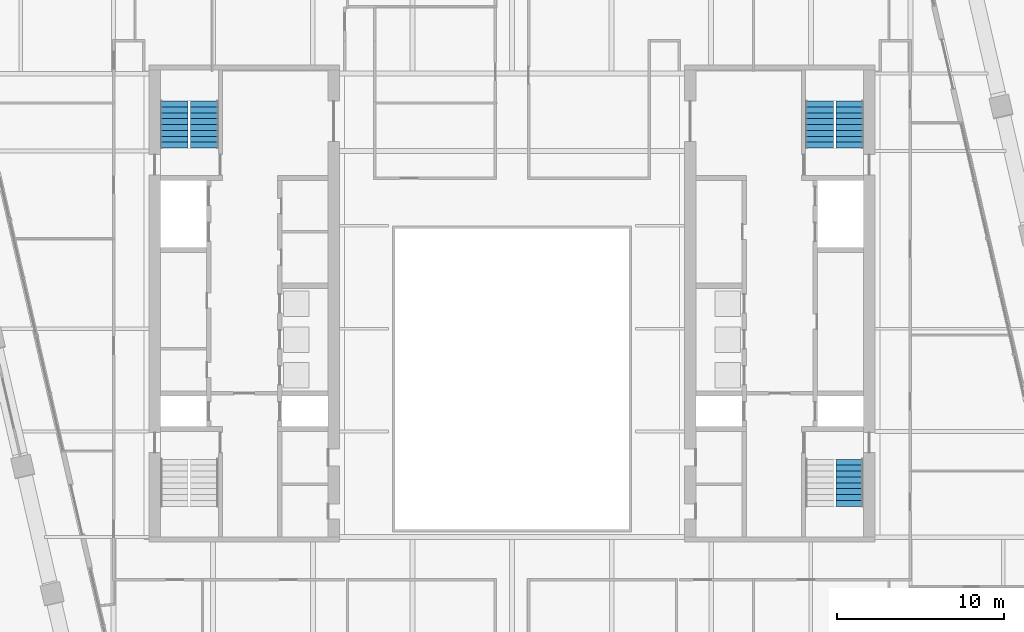
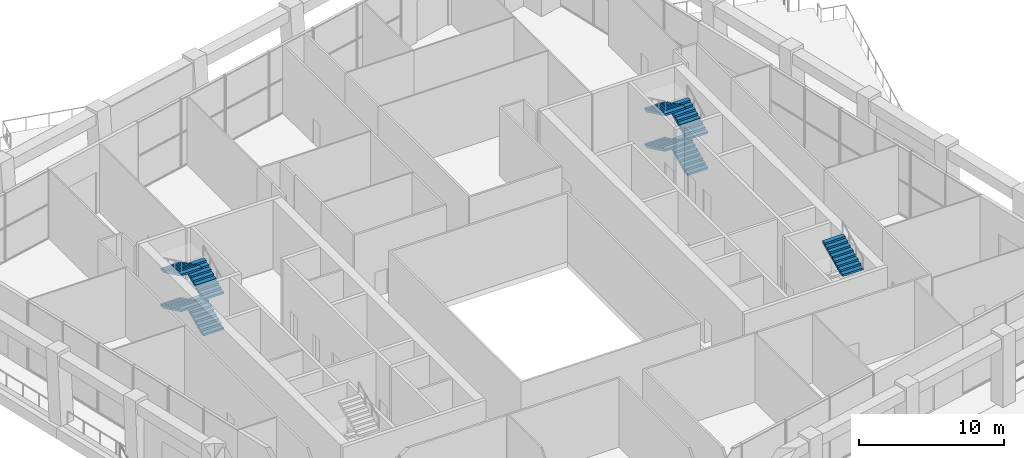
# One storey, part 17 of 24: 9 stair flights, 3 elements without a shape of their own.
"""IFC4 building model written with IfcOpenShell, lengths in metres."""

import ifcopenshell
import ifcopenshell.guid

model = None  # the IFC model being written
_history = None  # IfcOwnerHistory: only IFC2X3 demands one
_inside = {}  # id of a spatial element -> (the spatial element, [elements in it])
_under = {}  # id of a project, library or spatial element -> (it, [spatial elements below it])
_declared = {}  # id of a project -> (the project, [libraries it declares])
_typed = {}  # id of a type object -> (the type object, [elements of that type])
_made_of = {}  # id of a material, layer set ... -> (it, [elements and type objects made of it])


def new_model(schema):
    """Start an empty IFC model of exactly this schema.

    Asked for "IFC4X3", IfcOpenShell would pick the latest addendum, in which some entities
    have other attributes; the version numbers below select the first issue.
    IFC2X3 requires an IfcOwnerHistory on every rooted entity: one is made here for all.
    """
    global model, _history
    if schema == "IFC4X3":
        model = ifcopenshell.file(schema_version=(4, 3, 0, 0))
    else:
        model = ifcopenshell.file(schema=schema)
    _inside.clear()
    _under.clear()
    _declared.clear()
    _typed.clear()
    _made_of.clear()
    _history = None
    if model.schema == "IFC2X3":
        org = make("IfcOrganization", Name="unknown")
        user = make(
            "IfcPersonAndOrganization",
            ThePerson=make("IfcPerson", FamilyName="unknown"),
            TheOrganization=org,
        )
        app = make(
            "IfcApplication",
            ApplicationDeveloper=org,
            Version="unknown",
            ApplicationFullName="unknown",
            ApplicationIdentifier="unknown",
        )
        _history = make(
            "IfcOwnerHistory",
            OwningUser=user,
            OwningApplication=app,
            ChangeAction="ADDED",
            CreationDate=0,
        )
    return model


def make(cls, **values):
    """One entity of the class cls with the attributes given. An attribute that is None is left unset."""
    return model.create_entity(
        cls, **{name: value for name, value in values.items() if value is not None}
    )


def rooted(cls, **values):
    """An entity with a GlobalId (a new one), such as an element, a storey or a relation."""
    return make(cls, GlobalId=ifcopenshell.guid.new(), OwnerHistory=_history, **values)


def si_unit(unit_type, name, prefix=None):
    """IfcSIUnit, for example si_unit("LENGTHUNIT", "METRE", prefix="MILLI")."""
    return make("IfcSIUnit", UnitType=unit_type, Prefix=prefix, Name=name)


def assignment(units):
    """IfcUnitAssignment: the units of a project."""
    return None if units is None else make("IfcUnitAssignment", Units=units)


def point(xyz):
    """IfcCartesianPoint."""
    return None if xyz is None else make("IfcCartesianPoint", Coordinates=xyz)


def direction(xyz):
    """IfcDirection."""
    return None if xyz is None else make("IfcDirection", DirectionRatios=xyz)


def frame(location, z_axis=None, x_axis=None):
    """IfcAxis2Placement3D, a coordinate frame: its origin and axes. An axis left out is left unset."""
    return make(
        "IfcAxis2Placement3D",
        Location=point(location),
        Axis=direction(z_axis),
        RefDirection=direction(x_axis),
    )


def origin():
    """The frame at (0, 0, 0) with its axes left unset."""
    return frame((0.0, 0.0, 0.0))


def place(relative_to, where):
    """IfcLocalPlacement: puts the frame where relative to a parent placement (None: the world)."""
    return make(
        "IfcLocalPlacement", PlacementRelTo=relative_to, RelativePlacement=where
    )


def context(
    kind, dimensions, precision=None, world=None, true_north=None, identifier=None
):
    """IfcGeometricRepresentationContext, for example the 3D "Model" context."""
    return make(
        "IfcGeometricRepresentationContext",
        ContextIdentifier=identifier,
        ContextType=kind,
        CoordinateSpaceDimension=dimensions,
        Precision=precision,
        WorldCoordinateSystem=world,
        TrueNorth=true_north,
    )


def subcontext(parent, identifier, kind, view, scale=None):
    """IfcGeometricRepresentationSubContext, for example "Body" below "Model"."""
    return make(
        "IfcGeometricRepresentationSubContext",
        ContextIdentifier=identifier,
        ContextType=kind,
        ParentContext=parent,
        TargetScale=scale,
        TargetView=view,
    )


def project(units=None, contexts=None):
    """IfcProject with its units and contexts."""
    return rooted(
        "IfcProject",
        Name="project",
        RepresentationContexts=contexts,
        UnitsInContext=assignment(units),
    )


def spatial(cls, under=None, at=None, **own):
    """A site, building, storey or space (cls), placed at a placement, below another one or the project."""
    s = rooted(cls, ObjectPlacement=at, **own)
    if under is not None:
        _under.setdefault(under.id(), (under, []))[1].append(s)
    return s


def polyline(points):
    """IfcPolyline through the points."""
    return make("IfcPolyline", Points=[point(p) for p in points])


def outline(outer, holes=None, kind="AREA"):
    """IfcArbitraryClosedProfileDef: a profile drawn as a closed curve; with holes, ...WithVoids."""
    if holes is None:
        return make("IfcArbitraryClosedProfileDef", ProfileType=kind, OuterCurve=outer)
    return make(
        "IfcArbitraryProfileDefWithVoids",
        ProfileType=kind,
        OuterCurve=outer,
        InnerCurves=holes,
    )


def extrude(swept, where, along, depth):
    """IfcExtrudedAreaSolid: the profile swept, set in the frame where, extruded along a direction by depth."""
    return make(
        "IfcExtrudedAreaSolid",
        SweptArea=swept,
        Position=where,
        ExtrudedDirection=direction(along),
        Depth=depth,
    )


def shape(context_of_items, identifier, shape_type, items):
    """IfcShapeRepresentation: the items that make up one representation, for example the "Body"."""
    return make(
        "IfcShapeRepresentation",
        ContextOfItems=context_of_items,
        RepresentationIdentifier=identifier,
        RepresentationType=shape_type,
        Items=items,
    )


def material(Name=None, Category=None):
    """IfcMaterial."""
    return make("IfcMaterial", Name=Name, Category=Category)


def made_of(thing, what):
    """Note that an element or type object is made of a material, layer set ...; save() writes the relation."""
    if what is not None:
        _made_of.setdefault(what.id(), (what, []))[1].append(thing)
    return thing


def type_object(cls, material=None, **own):
    """A type object (cls), such as IfcWallType, which elements share."""
    return made_of(rooted(cls, **own), material)


def element(
    cls,
    number,
    at=None,
    inside=None,
    cuts=None,
    type_object=None,
    material=None,
    context=None,
    identifier="Body",
    shape_type=None,
    held_by="IfcProductDefinitionShape",
    body=None,
    shapes=None,
    **own,
):
    """One element of the class cls, such as IfcWall. Its Tag is "e" and its number.

    at: its placement. inside: the storey or other place that contains it. cuts: it is an
    opening in that element (IfcRelVoidsElement). A single representation is given by context,
    identifier, shape_type and body (its items); several are given by shapes. held_by: the class
    of the entity that holds the representations. save() writes the other relations.
    """
    e = rooted(cls, Tag="e%d" % number, ObjectPlacement=at, **own)
    if body is not None:
        shapes = [shape(context, identifier, shape_type, body)]
    if shapes is not None:
        e.Representation = make(held_by, Representations=shapes)
    if inside is not None:
        _inside.setdefault(inside.id(), (inside, []))[1].append(e)
    if cuts is not None:
        rooted(
            "IfcRelVoidsElement", RelatingBuildingElement=cuts, RelatedOpeningElement=e
        )
    if type_object is not None:
        _typed.setdefault(type_object.id(), (type_object, []))[1].append(e)
    return made_of(e, material)


def aggregate(whole, parts):
    """IfcRelAggregates: a whole, such as a stair, and the parts it consists of."""
    return rooted("IfcRelAggregates", RelatingObject=whole, RelatedObjects=parts)


def save(model, path):
    """Write the relations noted so far, then the file.

    IfcRelAggregates (storeys below a building ...), IfcRelContainedInSpatialStructure (elements
    in a storey), IfcRelDefinesByType, IfcRelAssociatesMaterial and IfcRelDeclares: one each for
    every whole, place, type object, material and project.
    """
    for whole, parts in _under.values():
        aggregate(whole, parts)
    for where, things in _inside.values():
        rooted(
            "IfcRelContainedInSpatialStructure",
            RelatedElements=things,
            RelatingStructure=where,
        )
    for kind, things in _typed.values():
        rooted("IfcRelDefinesByType", RelatedObjects=things, RelatingType=kind)
    for what, things in _made_of.values():
        rooted("IfcRelAssociatesMaterial", RelatedObjects=things, RelatingMaterial=what)
    for by, libraries in _declared.values():
        rooted("IfcRelDeclares", RelatingContext=by, RelatedDefinitions=libraries)
    model.write(path)


model = new_model("IFC4")

# Units and contexts
model_context = context("Model", 3, precision=1e-05, world=origin(), true_north=direction((0.0, 1.0)))
body_context = subcontext(model_context, "Body", "Model", "MODEL_VIEW")
ifc_project = project(units=[si_unit("LENGTHUNIT", "METRE"), si_unit("AREAUNIT", "SQUARE_METRE"), si_unit("VOLUMEUNIT", "CUBIC_METRE"), si_unit("PLANEANGLEUNIT", "RADIAN"), si_unit("MASSUNIT", "GRAM", prefix="KILO")], contexts=[model_context])

# Site, building, storey
site_placement = place(None, origin())
site = spatial("IfcSite", under=ifc_project, at=site_placement, CompositionType="ELEMENT")
building_placement = place(site_placement, origin())
building = spatial("IfcBuilding", under=site, at=building_placement, Name="Ogive Exchange Tower", CompositionType="ELEMENT")
storey_placement = place(building_placement, frame((0.0, 0.0, 165.60009765625)))
storey = spatial("IfcBuildingStorey", under=building, at=storey_placement, Name="L36", CompositionType="ELEMENT", Elevation=165.60009765625)

# Stair, stair flights
ifc_material = material(Name="Concrete C40/50", Category="concrete")
stair_type = type_object("IfcStairType", Name="Exit stair 1650 wide", PredefinedType="HALF_TURN_STAIR", material=ifc_material)
stair_1_placement = place(storey_placement, origin())
stair_1 = element("IfcStair", 1, at=stair_1_placement, inside=storey, type_object=stair_type, Name="L36 exit stair ST2", PredefinedType="HALF_TURN_STAIR")
stair_flight_type = type_object("IfcStairFlightType", Name="Stair flight 1650 wide", PredefinedType="STRAIGHT", material=ifc_material)
stair_flight_1_placement = place(storey_placement, frame((-18.375, 20.800048828125, 0.0), z_axis=(0.0, 0.0, 1.0), x_axis=(0.0, 1.0, 0.0)))
stair_flight_1 = element("IfcStairFlight", 2, at=stair_flight_1_placement, type_object=stair_flight_type, Name="ST2 flight 1", NumberOfRisers=9, NumberOfTreads=8, PredefinedType="STRAIGHT", RiserHeight=0.166666667, TreadLength=0.351, context=body_context, shape_type="SweptSolid", body=[
    extrude(outline(polyline([(0.0, 0.0), (0.0, 0.166748046875), (0.35107421875, 0.166748046875), (0.35107421875, 0.333251953125), (0.701904296875, 0.333251953125), (0.701904296875, 0.5), (1.052978515625, 0.5), (1.052978515625, 0.666748046875), (1.404052734375, 0.666748046875), (1.404052734375, 0.833251953125), (1.7548828125, 0.833251953125), (1.7548828125, 1.0), (2.10595703125, 1.0), (2.10595703125, 1.166748046875), (2.45703125, 1.166748046875), (2.45703125, 1.333251953125), (2.80810546875, 1.333251953125), (2.80810546875, 1.5), (2.80810546875, 1.16748046875), (0.349365234375, 0.0), (0.0, 0.0)])), frame((0.0, 0.824951171875, 0.0), z_axis=(0.0, -1.0, 0.0), x_axis=(1.0, 0.0, 0.0)), (0.0, 0.0, 1.0), 1.64990234375),
])
stair_flight_2_placement = place(storey_placement, frame((-20.175048828125, 23.60791015625, 1.5), z_axis=(0.0, 0.0, 1.0), x_axis=(0.0, -1.0, 0.0)))
stair_flight_2 = element("IfcStairFlight", 3, at=stair_flight_2_placement, type_object=stair_flight_type, Name="ST2 flight 2", NumberOfRisers=9, NumberOfTreads=8, PredefinedType="STRAIGHT", RiserHeight=0.166666667, TreadLength=0.351, context=body_context, shape_type="SweptSolid", body=[
    extrude(outline(polyline([(0.0, 0.0), (0.0, 0.166748046875), (0.35107421875, 0.166748046875), (0.35107421875, 0.333251953125), (0.701904296875, 0.333251953125), (0.701904296875, 0.5), (1.052978515625, 0.5), (1.052978515625, 0.666748046875), (1.404052734375, 0.666748046875), (1.404052734375, 0.833251953125), (1.7548828125, 0.833251953125), (1.7548828125, 1.0), (2.10595703125, 1.0), (2.10595703125, 1.166748046875), (2.45703125, 1.166748046875), (2.45703125, 1.333251953125), (2.80810546875, 1.333251953125), (2.80810546875, 1.5), (2.80810546875, 1.16748046875), (0.349365234375, 0.0), (0.0, 0.0)])), frame((0.0, 0.824951171875, 0.0), z_axis=(0.0, -1.0, 0.0), x_axis=(1.0, 0.0, 0.0)), (0.0, 0.0, 1.0), 1.64990234375),
])
stair_flight_3_placement = place(storey_placement, frame((-18.375, 20.800048828125, 3.0), z_axis=(0.0, 0.0, 1.0), x_axis=(0.0, 1.0, 0.0)))
stair_flight_3 = element("IfcStairFlight", 4, at=stair_flight_3_placement, type_object=stair_flight_type, Name="ST2 flight 3", NumberOfRisers=9, NumberOfTreads=8, PredefinedType="STRAIGHT", RiserHeight=0.166666667, TreadLength=0.351, context=body_context, shape_type="SweptSolid", body=[
    extrude(outline(polyline([(0.0, 0.0), (0.0, 0.166748046875), (0.35107421875, 0.166748046875), (0.35107421875, 0.333251953125), (0.701904296875, 0.333251953125), (0.701904296875, 0.5), (1.052978515625, 0.5), (1.052978515625, 0.666748046875), (1.404052734375, 0.666748046875), (1.404052734375, 0.833251953125), (1.7548828125, 0.833251953125), (1.7548828125, 1.0), (2.10595703125, 1.0), (2.10595703125, 1.166748046875), (2.45703125, 1.166748046875), (2.45703125, 1.333251953125), (2.80810546875, 1.333251953125), (2.80810546875, 1.5), (2.80810546875, 1.16748046875), (0.349365234375, 0.0), (0.0, 0.0)])), frame((0.0, 0.824951171875, 0.0), z_axis=(0.0, -1.0, 0.0), x_axis=(1.0, 0.0, 0.0)), (0.0, 0.0, 1.0), 1.64990234375),
])
stair_flight_4_placement = place(storey_placement, frame((-20.175048828125, 23.60791015625, 4.5), z_axis=(0.0, 0.0, 1.0), x_axis=(0.0, -1.0, 0.0)))
stair_flight_4 = element("IfcStairFlight", 5, at=stair_flight_4_placement, type_object=stair_flight_type, Name="ST2 flight 4", NumberOfRisers=9, NumberOfTreads=8, PredefinedType="STRAIGHT", RiserHeight=0.166666667, TreadLength=0.351, context=body_context, shape_type="SweptSolid", body=[
    extrude(outline(polyline([(0.0, 0.0), (0.0, 0.166748046875), (0.35107421875, 0.166748046875), (0.35107421875, 0.333251953125), (0.701904296875, 0.333251953125), (0.701904296875, 0.5), (1.052978515625, 0.5), (1.052978515625, 0.666748046875), (1.404052734375, 0.666748046875), (1.404052734375, 0.833251953125), (1.7548828125, 0.833251953125), (1.7548828125, 1.0), (2.10595703125, 1.0), (2.10595703125, 1.166748046875), (2.45703125, 1.166748046875), (2.45703125, 1.333251953125), (2.80810546875, 1.333251953125), (2.80810546875, 1.5), (2.80810546875, 1.16748046875), (0.349365234375, 0.0), (0.0, 0.0)])), frame((0.0, 0.824951171875, 0.0), z_axis=(0.0, -1.0, 0.0), x_axis=(1.0, 0.0, 0.0)), (0.0, 0.0, 1.0), 1.64990234375),
])
aggregate(stair_1, [stair_flight_1, stair_flight_2, stair_flight_3, stair_flight_4])

# Stair, stair flight
stair_2_placement = place(storey_placement, origin())
stair_2 = element("IfcStair", 6, at=stair_2_placement, inside=storey, type_object=stair_type, Name="L36 exit stair ST3", PredefinedType="HALF_TURN_STAIR")
stair_flight_5_placement = place(storey_placement, frame((20.175048828125, -0.60791015625, 4.5), z_axis=(0.0, 0.0, 1.0), x_axis=(0.0, 1.0, 0.0)))
stair_flight_5 = element("IfcStairFlight", 7, at=stair_flight_5_placement, type_object=stair_flight_type, Name="ST3 flight 4", NumberOfRisers=9, NumberOfTreads=8, PredefinedType="STRAIGHT", RiserHeight=0.166666667, TreadLength=0.351, context=body_context, shape_type="SweptSolid", body=[
    extrude(outline(polyline([(0.0, 0.0), (0.0, 0.166748046875), (0.35107421875, 0.166748046875), (0.35107421875, 0.333251953125), (0.701904296875, 0.333251953125), (0.701904296875, 0.5), (1.052978515625, 0.5), (1.052978515625, 0.666748046875), (1.404052734375, 0.666748046875), (1.404052734375, 0.833251953125), (1.7548828125, 0.833251953125), (1.7548828125, 1.0), (2.10595703125, 1.0), (2.10595703125, 1.166748046875), (2.45703125, 1.166748046875), (2.45703125, 1.333251953125), (2.80810546875, 1.333251953125), (2.80810546875, 1.5), (2.80810546875, 1.16748046875), (0.349365234375, 0.0), (0.0, 0.0)])), frame((0.0, 0.824951171875, 0.0), z_axis=(0.0, -1.0, 0.0), x_axis=(1.0, 0.0, 0.0)), (0.0, 0.0, 1.0), 1.64990234375),
])
aggregate(stair_2, [stair_flight_5])

# Stair, stair flights
stair_3_placement = place(storey_placement, origin())
stair_3 = element("IfcStair", 8, at=stair_3_placement, inside=storey, type_object=stair_type, Name="L36 exit stair ST4", PredefinedType="HALF_TURN_STAIR")
stair_flight_6_placement = place(storey_placement, frame((20.175048828125, 20.800048828125, 0.0), z_axis=(0.0, 0.0, 1.0), x_axis=(0.0, 1.0, 0.0)))
stair_flight_6 = element("IfcStairFlight", 9, at=stair_flight_6_placement, type_object=stair_flight_type, Name="ST4 flight 1", NumberOfRisers=9, NumberOfTreads=8, PredefinedType="STRAIGHT", RiserHeight=0.166666667, TreadLength=0.351, context=body_context, shape_type="SweptSolid", body=[
    extrude(outline(polyline([(0.0, 0.0), (0.0, 0.166748046875), (0.35107421875, 0.166748046875), (0.35107421875, 0.333251953125), (0.701904296875, 0.333251953125), (0.701904296875, 0.5), (1.052978515625, 0.5), (1.052978515625, 0.666748046875), (1.404052734375, 0.666748046875), (1.404052734375, 0.833251953125), (1.7548828125, 0.833251953125), (1.7548828125, 1.0), (2.10595703125, 1.0), (2.10595703125, 1.166748046875), (2.45703125, 1.166748046875), (2.45703125, 1.333251953125), (2.80810546875, 1.333251953125), (2.80810546875, 1.5), (2.80810546875, 1.16748046875), (0.349365234375, 0.0), (0.0, 0.0)])), frame((0.0, 0.824951171875, 0.0), z_axis=(0.0, -1.0, 0.0), x_axis=(1.0, 0.0, 0.0)), (0.0, 0.0, 1.0), 1.64990234375),
])
stair_flight_7_placement = place(storey_placement, frame((18.375, 23.60791015625, 1.5), z_axis=(0.0, 0.0, 1.0), x_axis=(0.0, -1.0, 0.0)))
stair_flight_7 = element("IfcStairFlight", 10, at=stair_flight_7_placement, type_object=stair_flight_type, Name="ST4 flight 2", NumberOfRisers=9, NumberOfTreads=8, PredefinedType="STRAIGHT", RiserHeight=0.166666667, TreadLength=0.351, context=body_context, shape_type="SweptSolid", body=[
    extrude(outline(polyline([(0.0, 0.0), (0.0, 0.166748046875), (0.35107421875, 0.166748046875), (0.35107421875, 0.333251953125), (0.701904296875, 0.333251953125), (0.701904296875, 0.5), (1.052978515625, 0.5), (1.052978515625, 0.666748046875), (1.404052734375, 0.666748046875), (1.404052734375, 0.833251953125), (1.7548828125, 0.833251953125), (1.7548828125, 1.0), (2.10595703125, 1.0), (2.10595703125, 1.166748046875), (2.45703125, 1.166748046875), (2.45703125, 1.333251953125), (2.80810546875, 1.333251953125), (2.80810546875, 1.5), (2.80810546875, 1.16748046875), (0.349365234375, 0.0), (0.0, 0.0)])), frame((0.0, 0.824951171875, 0.0), z_axis=(0.0, -1.0, 0.0), x_axis=(1.0, 0.0, 0.0)), (0.0, 0.0, 1.0), 1.64990234375),
])
stair_flight_8_placement = place(storey_placement, frame((20.175048828125, 20.800048828125, 3.0), z_axis=(0.0, 0.0, 1.0), x_axis=(0.0, 1.0, 0.0)))
stair_flight_8 = element("IfcStairFlight", 11, at=stair_flight_8_placement, type_object=stair_flight_type, Name="ST4 flight 3", NumberOfRisers=9, NumberOfTreads=8, PredefinedType="STRAIGHT", RiserHeight=0.166666667, TreadLength=0.351, context=body_context, shape_type="SweptSolid", body=[
    extrude(outline(polyline([(0.0, 0.0), (0.0, 0.166748046875), (0.35107421875, 0.166748046875), (0.35107421875, 0.333251953125), (0.701904296875, 0.333251953125), (0.701904296875, 0.5), (1.052978515625, 0.5), (1.052978515625, 0.666748046875), (1.404052734375, 0.666748046875), (1.404052734375, 0.833251953125), (1.7548828125, 0.833251953125), (1.7548828125, 1.0), (2.10595703125, 1.0), (2.10595703125, 1.166748046875), (2.45703125, 1.166748046875), (2.45703125, 1.333251953125), (2.80810546875, 1.333251953125), (2.80810546875, 1.5), (2.80810546875, 1.16748046875), (0.349365234375, 0.0), (0.0, 0.0)])), frame((0.0, 0.824951171875, 0.0), z_axis=(0.0, -1.0, 0.0), x_axis=(1.0, 0.0, 0.0)), (0.0, 0.0, 1.0), 1.64990234375),
])
stair_flight_9_placement = place(storey_placement, frame((18.375, 23.60791015625, 4.5), z_axis=(0.0, 0.0, 1.0), x_axis=(0.0, -1.0, 0.0)))
stair_flight_9 = element("IfcStairFlight", 12, at=stair_flight_9_placement, type_object=stair_flight_type, Name="ST4 flight 4", NumberOfRisers=9, NumberOfTreads=8, PredefinedType="STRAIGHT", RiserHeight=0.166666667, TreadLength=0.351, context=body_context, shape_type="SweptSolid", body=[
    extrude(outline(polyline([(0.0, 0.0), (0.0, 0.166748046875), (0.35107421875, 0.166748046875), (0.35107421875, 0.333251953125), (0.701904296875, 0.333251953125), (0.701904296875, 0.5), (1.052978515625, 0.5), (1.052978515625, 0.666748046875), (1.404052734375, 0.666748046875), (1.404052734375, 0.833251953125), (1.7548828125, 0.833251953125), (1.7548828125, 1.0), (2.10595703125, 1.0), (2.10595703125, 1.166748046875), (2.45703125, 1.166748046875), (2.45703125, 1.333251953125), (2.80810546875, 1.333251953125), (2.80810546875, 1.5), (2.80810546875, 1.16748046875), (0.349365234375, 0.0), (0.0, 0.0)])), frame((0.0, 0.824951171875, 0.0), z_axis=(0.0, -1.0, 0.0), x_axis=(1.0, 0.0, 0.0)), (0.0, 0.0, 1.0), 1.64990234375),
])
aggregate(stair_3, [stair_flight_6, stair_flight_7, stair_flight_8, stair_flight_9])

save(model, "model.ifc")
